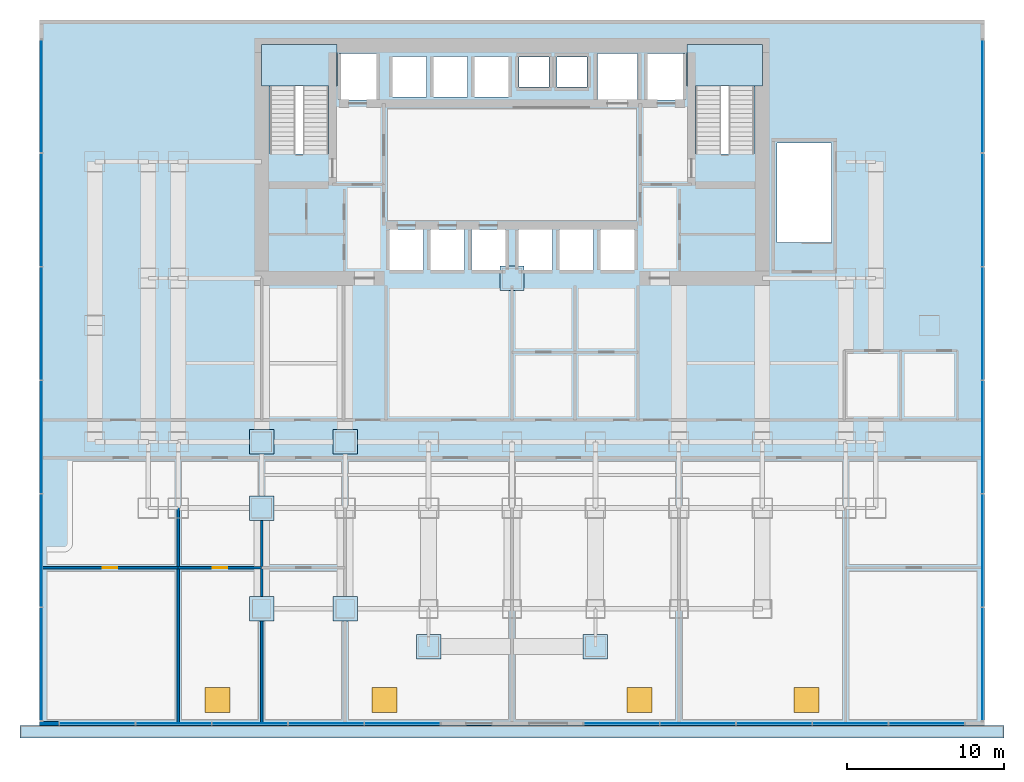
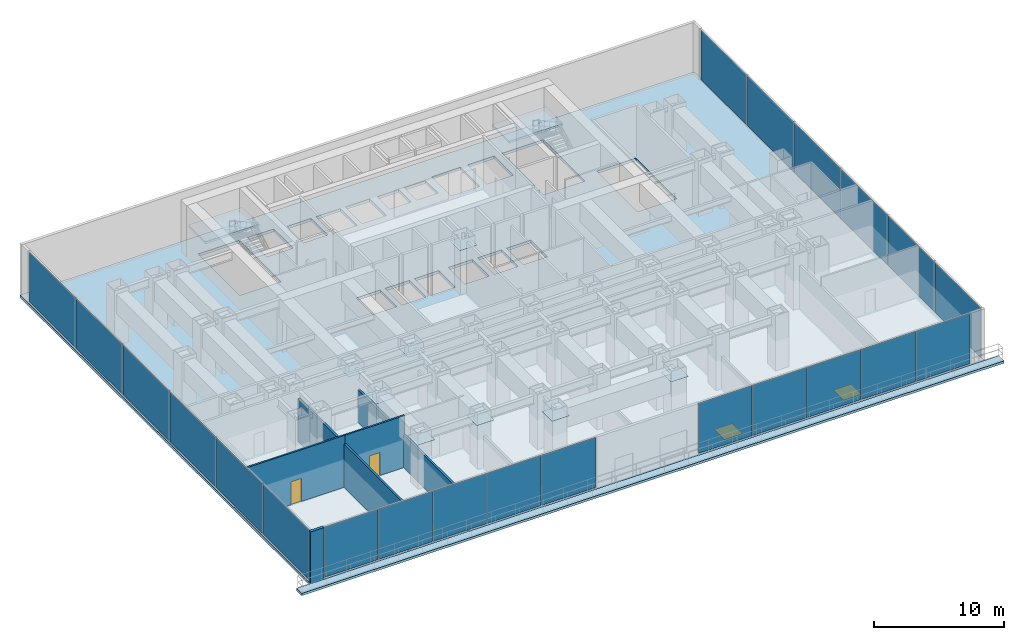
# One storey, part 7 of 12: 30 plates, 5 walls, 4 slabs, 4 windows, 2 doors, 6 openings, 6 elements without a shape of their own.
"""IFC4 building model written with IfcOpenShell, lengths in metres."""

from ifc_helpers import new_model, si_unit, direction, frame, frame_2d, origin, origin_2d, place, context, subcontext, project, spatial, polyline, rectangle, outline, extrude, source, transform, mapped, material, layer, layer_set, type_object, element, fill, aggregate, save


model = new_model("IFC4")

# Units and contexts
model_context = context("Model", 3, precision=1e-05, world=origin(), true_north=direction((0.0, 1.0)))
body_context = subcontext(model_context, "Body", "Model", "MODEL_VIEW")
ifc_project = project(units=[si_unit("LENGTHUNIT", "METRE"), si_unit("AREAUNIT", "SQUARE_METRE"), si_unit("VOLUMEUNIT", "CUBIC_METRE"), si_unit("PLANEANGLEUNIT", "RADIAN"), si_unit("MASSUNIT", "GRAM", prefix="KILO")], contexts=[model_context])

# Site, building, storey
site_placement = place(None, origin())
site = spatial("IfcSite", under=ifc_project, at=site_placement, CompositionType="ELEMENT")
building_placement = place(site_placement, origin())
building = spatial("IfcBuilding", under=site, at=building_placement, Name="Qianlan Lanfeng Residences", CompositionType="ELEMENT")
storey_placement = place(building_placement, frame((0.0, 0.0, 19.0)))
storey = spatial("IfcBuildingStorey", under=building, at=storey_placement, Name="L04", CompositionType="ELEMENT", Elevation=19.0)

# Slab, openings, windows
ifc_material_1 = material(Name="Concrete C49", Category="concrete")
ifc_layer_1 = layer(ifc_material_1, 0.260009765625)
ifc_layer_set_1 = layer_set([ifc_layer_1], Name="Concrete C49")
slab_type_1 = type_object("IfcSlabType", Name="S-FL-260", PredefinedType="FLOOR", material=ifc_layer_set_1)
slab_1_placement = place(storey_placement, frame((0.0, 0.0, -0.260009765625)))
slab_1 = element("IfcSlab", 1, at=slab_1_placement, inside=storey, type_object=slab_type_1, Name="L04 Structural Floor Slab", PredefinedType="FLOOR", context=body_context, shape_type="SweptSolid", body=[
    extrude(outline(polyline([(-3.5, -3.199951171875), (56.5, -3.199951171875), (56.5, 41.60009765625), (-3.5, 41.60009765625), (-3.5, -3.199951171875)]), holes=[polyline([(11.139892578125, 33.080078125), (11.139892578125, 39.5), (14.820068359375, 39.5), (14.820068359375, 33.080078125), (11.139892578125, 33.080078125)]), polyline([(38.179931640625, 33.080078125), (38.179931640625, 39.5), (41.860107421875, 39.5), (41.860107421875, 33.080078125), (38.179931640625, 33.080078125)]), polyline([(43.320068359375, 27.47998046875), (43.320068359375, 33.780029296875), (46.800048828125, 33.780029296875), (46.800048828125, 27.47998046875), (43.320068359375, 27.47998046875)]), polyline([(15.52001953125, 36.52001953125), (15.52001953125, 39.47998046875), (17.8798828125, 39.47998046875), (17.8798828125, 36.52001953125), (15.52001953125, 36.52001953125)]), polyline([(35.1201171875, 36.52001953125), (35.1201171875, 39.47998046875), (37.47998046875, 39.47998046875), (37.47998046875, 36.52001953125), (35.1201171875, 36.52001953125)]), polyline([(31.919921875, 36.52001953125), (31.919921875, 39.47998046875), (34.47998046875, 39.47998046875), (34.47998046875, 36.52001953125), (31.919921875, 36.52001953125)]), polyline([(18.719970703125, 25.719970703125), (18.719970703125, 28.280029296875), (20.8798828125, 28.280029296875), (20.8798828125, 25.719970703125), (18.719970703125, 25.719970703125)]), polyline([(21.320068359375, 25.719970703125), (21.320068359375, 28.280029296875), (23.47998046875, 28.280029296875), (23.47998046875, 25.719970703125), (21.320068359375, 25.719970703125)]), polyline([(23.919921875, 25.719970703125), (23.919921875, 28.280029296875), (26.080078125, 28.280029296875), (26.080078125, 25.719970703125), (23.919921875, 25.719970703125)]), polyline([(26.919921875, 25.719970703125), (26.919921875, 28.280029296875), (29.080078125, 28.280029296875), (29.080078125, 25.719970703125), (26.919921875, 25.719970703125)]), polyline([(29.52001953125, 25.719970703125), (29.52001953125, 28.280029296875), (31.679931640625, 28.280029296875), (31.679931640625, 25.719970703125), (29.52001953125, 25.719970703125)]), polyline([(32.1201171875, 25.719970703125), (32.1201171875, 28.280029296875), (34.280029296875, 28.280029296875), (34.280029296875, 25.719970703125), (32.1201171875, 25.719970703125)]), polyline([(18.919921875, 36.719970703125), (18.919921875, 39.280029296875), (21.080078125, 39.280029296875), (21.080078125, 36.719970703125), (18.919921875, 36.719970703125)]), polyline([(21.52001953125, 36.719970703125), (21.52001953125, 39.280029296875), (23.679931640625, 39.280029296875), (23.679931640625, 36.719970703125), (21.52001953125, 36.719970703125)]), polyline([(24.1201171875, 36.719970703125), (24.1201171875, 39.280029296875), (26.280029296875, 39.280029296875), (26.280029296875, 36.719970703125), (24.1201171875, 36.719970703125)]), polyline([(26.949951171875, 37.35009765625), (26.949951171875, 39.25), (28.85009765625, 39.25), (28.85009765625, 37.35009765625), (26.949951171875, 37.35009765625)]), polyline([(29.35009765625, 37.35009765625), (29.35009765625, 39.25), (31.25, 39.25), (31.25, 37.35009765625), (29.35009765625, 37.35009765625)])]), origin(), (0.0, 0.0, 1.0), 0.260009765625),
])
opening_1_placement = place(slab_1_placement, frame((7.800048828125, -1.60009765625, -0.010009765625)))
opening_1 = element("IfcOpeningElement", 2, at=opening_1_placement, cuts=slab_1, Name="Opening SK-01", PredefinedType="OPENING", context=body_context, shape_type="SweptSolid", body=[
    extrude(rectangle(XDim=1.60009765625, YDim=1.60009765625, at=origin_2d()), origin(), (0.0, 0.0, 1.0), 0.280029296875),
])
opening_2_placement = place(slab_1_placement, frame((18.39990234375, -1.60009765625, -0.010009765625)))
opening_2 = element("IfcOpeningElement", 3, at=opening_2_placement, cuts=slab_1, Name="Opening SK-01", PredefinedType="OPENING", context=body_context, shape_type="SweptSolid", body=[
    extrude(rectangle(XDim=1.60009765625, YDim=1.60009765625, at=origin_2d()), origin(), (0.0, 0.0, 1.0), 0.280029296875),
])
opening_3_placement = place(slab_1_placement, frame((34.60009765625, -1.60009765625, -0.010009765625)))
opening_3 = element("IfcOpeningElement", 4, at=opening_3_placement, cuts=slab_1, Name="Opening SK-01", PredefinedType="OPENING", context=body_context, shape_type="SweptSolid", body=[
    extrude(rectangle(XDim=1.60009765625, YDim=1.60009765625, at=origin_2d()), origin(), (0.0, 0.0, 1.0), 0.280029296875),
])
opening_4_placement = place(slab_1_placement, frame((45.199951171875, -1.60009765625, -0.010009765625)))
opening_4 = element("IfcOpeningElement", 5, at=opening_4_placement, cuts=slab_1, Name="Opening SK-01", PredefinedType="OPENING", context=body_context, shape_type="SweptSolid", body=[
    extrude(rectangle(XDim=1.60009765625, YDim=1.60009765625, at=origin_2d()), origin(), (0.0, 0.0, 1.0), 0.280029296875),
])
ifc_material_2 = material(Name="Anodised Bronze Aluminium Framed Double Glazing", Category="aluminium")
window_type = type_object("IfcWindowType", Name="SK-01", PartitioningType="SINGLE_PANEL", PredefinedType="SKYLIGHT", material=ifc_material_2)
window_1_placement = place(slab_1_placement, frame((7.800048828125, -1.60009765625, 0.2099609375)))
window_1 = element("IfcWindow", 6, at=window_1_placement, inside=storey, type_object=window_type, Name="L04 Podium Gallery Skylight 1", OverallHeight=1.60009765625, OverallWidth=1.60009765625, PartitioningType="SINGLE_PANEL", PredefinedType="SKYLIGHT", context=body_context, shape_type="SweptSolid", body=[
    extrude(rectangle(XDim=1.60009765625, YDim=1.60009765625, at=origin_2d()), origin(), (0.0, 0.0, 1.0), 0.050048828125),
])
fill(opening_1, window_1)
window_2_placement = place(slab_1_placement, frame((18.39990234375, -1.60009765625, 0.2099609375)))
window_2 = element("IfcWindow", 7, at=window_2_placement, inside=storey, type_object=window_type, Name="L04 Podium Gallery Skylight 2", OverallHeight=1.60009765625, OverallWidth=1.60009765625, PartitioningType="SINGLE_PANEL", PredefinedType="SKYLIGHT", context=body_context, shape_type="SweptSolid", body=[
    extrude(rectangle(XDim=1.60009765625, YDim=1.60009765625, at=origin_2d()), origin(), (0.0, 0.0, 1.0), 0.050048828125),
])
fill(opening_2, window_2)
window_3_placement = place(slab_1_placement, frame((34.60009765625, -1.60009765625, 0.2099609375)))
window_3 = element("IfcWindow", 8, at=window_3_placement, inside=storey, type_object=window_type, Name="L04 Podium Gallery Skylight 3", OverallHeight=1.60009765625, OverallWidth=1.60009765625, PartitioningType="SINGLE_PANEL", PredefinedType="SKYLIGHT", context=body_context, shape_type="SweptSolid", body=[
    extrude(rectangle(XDim=1.60009765625, YDim=1.60009765625, at=origin_2d()), origin(), (0.0, 0.0, 1.0), 0.050048828125),
])
fill(opening_3, window_3)
window_4_placement = place(slab_1_placement, frame((45.199951171875, -1.60009765625, 0.2099609375)))
window_4 = element("IfcWindow", 9, at=window_4_placement, inside=storey, type_object=window_type, Name="L04 Podium Gallery Skylight 4", OverallHeight=1.60009765625, OverallWidth=1.60009765625, PartitioningType="SINGLE_PANEL", PredefinedType="SKYLIGHT", context=body_context, shape_type="SweptSolid", body=[
    extrude(rectangle(XDim=1.60009765625, YDim=1.60009765625, at=origin_2d()), origin(), (0.0, 0.0, 1.0), 0.050048828125),
])
fill(opening_4, window_4)

# Stair, slab
ifc_material_3 = material(Name="Concrete C42", Category="concrete")
stair_type = type_object("IfcStairType", Name="STR-MAIN", PredefinedType="HALF_TURN_STAIR", material=ifc_material_3)
stair_1_placement = place(storey_placement, origin())
stair_1 = element("IfcStair", 10, at=stair_1_placement, inside=storey, type_object=stair_type, Name="L04 Exit Stair ST-1", PredefinedType="HALF_TURN_STAIR")
ifc_layer_2 = layer(ifc_material_3, 0.179931640625)
ifc_layer_set_2 = layer_set([ifc_layer_2], Name="Concrete C42")
slab_type_2 = type_object("IfcSlabType", Name="S-LND-180", PredefinedType="LANDING", material=ifc_layer_set_2)
slab_2_placement = place(storey_placement, frame((0.0, 0.0, 2.39990234375)))
slab_2 = element("IfcSlab", 11, at=slab_2_placement, type_object=slab_type_2, Name="ST-1 landing 1", PredefinedType="LANDING", context=body_context, shape_type="SweptSolid", body=[
    extrude(outline(polyline([(10.580078125, 37.39990234375), (15.3798828125, 37.39990234375), (15.3798828125, 40.050048828125), (10.580078125, 40.050048828125), (10.580078125, 37.39990234375)])), origin(), (0.0, 0.0, 1.0), 0.2001953125),
])
aggregate(stair_1, [slab_2])

stair_2_placement = place(storey_placement, origin())
stair_2 = element("IfcStair", 12, at=stair_2_placement, inside=storey, type_object=stair_type, Name="L04 Exit Stair ST-2", PredefinedType="HALF_TURN_STAIR")
slab_3_placement = place(storey_placement, frame((0.0, 0.0, 2.39990234375)))
slab_3 = element("IfcSlab", 13, at=slab_3_placement, type_object=slab_type_2, Name="ST-2 landing 1", PredefinedType="LANDING", context=body_context, shape_type="SweptSolid", body=[
    extrude(outline(polyline([(37.6201171875, 37.39990234375), (42.419921875, 37.39990234375), (42.419921875, 40.050048828125), (37.6201171875, 40.050048828125), (37.6201171875, 37.39990234375)])), origin(), (0.0, 0.0, 1.0), 0.2001953125),
])
aggregate(stair_2, [slab_3])

# Slab
ifc_layer_3 = layer(ifc_material_3, 0.219970703125)
ifc_layer_set_3 = layer_set([ifc_layer_3], Name="Concrete C42")
slab_type_3 = type_object("IfcSlabType", Name="S-TER-220", PredefinedType="FLOOR", material=ifc_layer_set_3)
slab_4_placement = place(storey_placement, frame((0.0, 0.0, -0.219970703125)))
element("IfcSlab", 14, at=slab_4_placement, inside=storey, type_object=slab_type_3, Name="L04 Planted Podium Terrace Slab", PredefinedType="FLOOR", context=body_context, shape_type="SweptSolid", body=[
    extrude(outline(polyline([(56.5, -3.199951171875), (-3.5, -3.199951171875), (-4.75, -3.199951171875), (-4.75, -4.0), (57.75, -4.0), (57.75, -3.199951171875), (56.5, -3.199951171875)])), origin(), (0.0, 0.0, 1.0), 0.219970703125),
])

# Plates
ifc_material_4 = material(Name="Steel SN490B", Category="steel")
ifc_layer_4 = layer(ifc_material_4, 0.028076171875)
ifc_layer_set_4 = layer_set([ifc_layer_4], Name="Steel SN490B")
plate_type_1 = type_object("IfcPlateType", Name="NP-STF-24", PredefinedType="USERDEFINED", material=ifc_layer_set_4)
shared_shape_1 = source(origin(), body_context, "Body", "SweptSolid", [
    extrude(rectangle(XDim=1.550048828125, YDim=1.550048828125, at=origin_2d()), origin(), (0.0, 0.0, 1.0), 0.028076171875),
])
for number, where, z_axis, x_axis, name in (
    (15, (21.199951171875, 1.800048828125, 4.2958984375), (0.0, 0.0, 1.0), (1.0, 0.0, 0.0), "L04 Transfer Node Diaphragm Stiffener 1"),
    (16, (31.800048828125, 1.800048828125, 4.2958984375), (0.0, 0.0, 1.0), (1.0, 0.0, 0.0), "L04 Transfer Node Diaphragm Stiffener 2"),
    (17, (26.5, 25.199951171875, 4.2958984375), (0.0, 0.0, 1.0), (1.0, 0.0, 0.0), "L04 Transfer Node Diaphragm Stiffener 3"),
    (18, (10.60009765625, 14.800048828125, 4.2958984375), (0.0, 0.0, 1.0), (1.0, 0.0, 0.0), "L04 Transfer Node Diaphragm Stiffener 4"),
    (19, (10.60009765625, 4.199951171875, 4.2958984375), (0.0, 0.0, 1.0), (1.0, 0.0, 0.0), "L04 Transfer Node Diaphragm Stiffener 5"),
    (20, (10.60009765625, 10.60009765625, 4.2958984375), (0.0, 0.0, 1.0), (1.0, 0.0, 0.0), "L04 Transfer Node Diaphragm Stiffener 6"),
    (21, (15.89990234375, 14.800048828125, 4.2958984375), (0.0, 0.0, 1.0), (1.0, 0.0, 0.0), "L04 Transfer Node Diaphragm Stiffener 7"),
    (22, (15.89990234375, 4.199951171875, 4.2958984375), (0.0, 0.0, 1.0), (1.0, 0.0, 0.0), "L04 Transfer Node Diaphragm Stiffener 8"),
):
    element("IfcPlate", number, at=place(storey_placement, frame(where, z_axis=z_axis, x_axis=x_axis)), inside=storey, type_object=plate_type_1, Name=name, ObjectType="STIFFENER", PredefinedType="USERDEFINED", context=body_context, shape_type="MappedRepresentation", body=[
        mapped(shared_shape_1, transform((0.0, 0.0, 0.0), scale=1.0)),
    ])

# Curtain wall, plates
ifc_material_5 = material(Name="Anodised Bronze Aluminium 6063-T6", Category="aluminium")
ifc_layer_5 = layer(ifc_material_5, 0.219970703125)
ifc_layer_set_5 = layer_set([ifc_layer_5], Name="Anodised Bronze Aluminium 6063-T6")
curtain_wall_type = type_object("IfcCurtainWallType", Name="CW-01", PredefinedType="NOTDEFINED", material=ifc_layer_set_5)
curtain_wall_1_placement = place(storey_placement, origin())
curtain_wall_1 = element("IfcCurtainWall", 23, at=curtain_wall_1_placement, inside=storey, type_object=curtain_wall_type, Name="L04 Unitised Curtain Wall CWR-L04-SW (CW-01)", PredefinedType="NOTDEFINED")
ifc_material_6 = material(Name="Clear Low-E Insulated Glass", Category="glass")
ifc_layer_6 = layer(ifc_material_6, 0.035888671875)
ifc_layer_set_6 = layer_set([ifc_layer_6], Name="Clear Low-E Insulated Glass")
plate_type_2 = type_object("IfcPlateType", Name="PNL-GLZ-CLR", PredefinedType="CURTAIN_PANEL", material=ifc_layer_set_6)
shared_shape_2 = source(origin(), body_context, "Body", "SweptSolid", [
    extrude(rectangle(XDim=4.76611328125, YDim=0.035888671875, at=origin_2d()), origin(), (0.0, 0.0, 1.0), 4.701904296875),
])
plate_1_placement = place(storey_placement, frame((0.162109375, -3.080078125, 0.0791015625), z_axis=(0.0, 0.0, 1.0), x_axis=(1.0, 0.0, 0.0)))
plate_1 = element("IfcPlate", 24, at=plate_1_placement, type_object=plate_type_2, Name="CWR-L04-SW Curtain Panel 1", PredefinedType="CURTAIN_PANEL", context=body_context, shape_type="MappedRepresentation", body=[
    mapped(shared_shape_2, transform((0.0, 0.0, 0.0), scale=1.0)),
])
plate_2_placement = place(storey_placement, frame((5.006103515625, -3.080078125, 0.0791015625), z_axis=(0.0, 0.0, 1.0), x_axis=(1.0, 0.0, 0.0)))
plate_2 = element("IfcPlate", 25, at=plate_2_placement, type_object=plate_type_2, Name="CWR-L04-SW Curtain Panel 2", PredefinedType="CURTAIN_PANEL", context=body_context, shape_type="MappedRepresentation", body=[
    mapped(shared_shape_2, transform((0.0, 0.0, 0.0), scale=1.0)),
])
plate_3_placement = place(storey_placement, frame((14.694091796875, -3.080078125, 0.0791015625), z_axis=(0.0, 0.0, 1.0), x_axis=(1.0, 0.0, 0.0)))
plate_3 = element("IfcPlate", 26, at=plate_3_placement, type_object=plate_type_2, Name="CWR-L04-SW Curtain Panel 4", PredefinedType="CURTAIN_PANEL", context=body_context, shape_type="MappedRepresentation", body=[
    mapped(shared_shape_2, transform((0.0, 0.0, 0.0), scale=1.0)),
])
plate_4_placement = place(storey_placement, frame((19.5380859375, -3.080078125, 0.0791015625), z_axis=(0.0, 0.0, 1.0), x_axis=(1.0, 0.0, 0.0)))
plate_4 = element("IfcPlate", 27, at=plate_4_placement, type_object=plate_type_2, Name="CWR-L04-SW Curtain Panel 5", PredefinedType="CURTAIN_PANEL", context=body_context, shape_type="MappedRepresentation", body=[
    mapped(shared_shape_2, transform((0.0, 0.0, 0.0), scale=1.0)),
])

curtain_wall_2_placement = place(storey_placement, origin())
curtain_wall_2 = element("IfcCurtainWall", 28, at=curtain_wall_2_placement, inside=storey, type_object=curtain_wall_type, Name="L04 Unitised Curtain Wall CWR-L04-SE (CW-01)", PredefinedType="NOTDEFINED")
plate_5_placement = place(storey_placement, frame((33.4619140625, -3.080078125, 0.0791015625), z_axis=(0.0, 0.0, 1.0), x_axis=(1.0, 0.0, 0.0)))
plate_5 = element("IfcPlate", 29, at=plate_5_placement, type_object=plate_type_2, Name="CWR-L04-SE Curtain Panel 1", PredefinedType="CURTAIN_PANEL", context=body_context, shape_type="MappedRepresentation", body=[
    mapped(shared_shape_2, transform((0.0, 0.0, 0.0), scale=1.0)),
])
plate_6_placement = place(storey_placement, frame((38.305908203125, -3.080078125, 0.0791015625), z_axis=(0.0, 0.0, 1.0), x_axis=(1.0, 0.0, 0.0)))
plate_6 = element("IfcPlate", 30, at=plate_6_placement, type_object=plate_type_2, Name="CWR-L04-SE Curtain Panel 2", PredefinedType="CURTAIN_PANEL", context=body_context, shape_type="MappedRepresentation", body=[
    mapped(shared_shape_2, transform((0.0, 0.0, 0.0), scale=1.0)),
])
plate_7_placement = place(storey_placement, frame((47.993896484375, -3.080078125, 0.0791015625), z_axis=(0.0, 0.0, 1.0), x_axis=(1.0, 0.0, 0.0)))
plate_7 = element("IfcPlate", 31, at=plate_7_placement, type_object=plate_type_2, Name="CWR-L04-SE Curtain Panel 4", PredefinedType="CURTAIN_PANEL", context=body_context, shape_type="MappedRepresentation", body=[
    mapped(shared_shape_2, transform((0.0, 0.0, 0.0), scale=1.0)),
])
plate_8_placement = place(storey_placement, frame((52.837890625, -3.080078125, 0.0791015625), z_axis=(0.0, 0.0, 1.0), x_axis=(1.0, 0.0, 0.0)))
plate_8 = element("IfcPlate", 32, at=plate_8_placement, type_object=plate_type_2, Name="CWR-L04-SE Curtain Panel 5", PredefinedType="CURTAIN_PANEL", context=body_context, shape_type="MappedRepresentation", body=[
    mapped(shared_shape_2, transform((0.0, 0.0, 0.0), scale=1.0)),
])

# Plate
ifc_material_7 = material(Name="Perforated Anodised Bronze Aluminium Panel", Category="aluminium")
ifc_layer_7 = layer(ifc_material_7, 0.0419921875)
ifc_layer_set_7 = layer_set([ifc_layer_7], Name="Perforated Anodised Bronze Aluminium Panel")
plate_type_3 = type_object("IfcPlateType", Name="PNL-PRF-BRZ", PredefinedType="CURTAIN_PANEL", material=ifc_layer_set_7)
shared_shape_3 = source(origin(), body_context, "Body", "SweptSolid", [
    extrude(rectangle(XDim=4.76611328125, YDim=0.0419921875, at=origin_2d()), origin(), (0.0, 0.0, 1.0), 4.701904296875),
])
plate_9_placement = place(storey_placement, frame((9.85009765625, -3.080078125, 0.0791015625), z_axis=(0.0, 0.0, 1.0), x_axis=(1.0, 0.0, 0.0)))
plate_9 = element("IfcPlate", 33, at=plate_9_placement, type_object=plate_type_3, Name="CWR-L04-SW Curtain Panel 3", PredefinedType="CURTAIN_PANEL", context=body_context, shape_type="MappedRepresentation", body=[
    mapped(shared_shape_3, transform((0.0, 0.0, 0.0), scale=1.0)),
])

aggregate(curtain_wall_1, [plate_1, plate_2, plate_9, plate_3, plate_4])

ifc_material_8 = material(Name="Perforated Champagne Gold Aluminium Panel", Category="aluminium")
ifc_layer_8 = layer(ifc_material_8, 0.0400390625)
ifc_layer_set_8 = layer_set([ifc_layer_8], Name="Perforated Champagne Gold Aluminium Panel")
plate_type_4 = type_object("IfcPlateType", Name="PNL-PRF-GLD", PredefinedType="CURTAIN_PANEL", material=ifc_layer_set_8)
shared_shape_4 = source(origin(), body_context, "Body", "SweptSolid", [
    extrude(rectangle(XDim=4.76611328125, YDim=0.0400390625, at=origin_2d()), origin(), (0.0, 0.0, 1.0), 4.701904296875),
])
plate_10_placement = place(storey_placement, frame((43.14990234375, -3.080078125, 0.0791015625), z_axis=(0.0, 0.0, 1.0), x_axis=(1.0, 0.0, 0.0)))
plate_10 = element("IfcPlate", 34, at=plate_10_placement, type_object=plate_type_4, Name="CWR-L04-SE Curtain Panel 3", PredefinedType="CURTAIN_PANEL", context=body_context, shape_type="MappedRepresentation", body=[
    mapped(shared_shape_4, transform((0.0, 0.0, 0.0), scale=1.0)),
])

aggregate(curtain_wall_2, [plate_5, plate_6, plate_10, plate_7, plate_8])

# Curtain wall, plates
curtain_wall_3_placement = place(storey_placement, origin())
curtain_wall_3 = element("IfcCurtainWall", 35, at=curtain_wall_3_placement, inside=storey, type_object=curtain_wall_type, Name="L04 Unitised Curtain Wall CWR-L04-E (CW-01)", PredefinedType="NOTDEFINED")
shared_shape_5 = source(origin(), body_context, "Body", "SweptSolid", [
    extrude(rectangle(XDim=7.13525390625, YDim=0.035888671875, at=origin_2d()), origin(), (0.0, 0.0, 1.0), 4.701904296875),
])
plate_11_placement = place(storey_placement, frame((56.3798828125, 0.686767578125, 0.0791015625), z_axis=(0.0, 0.0, 1.0), x_axis=(0.0, 1.0, 0.0)))
plate_11 = element("IfcPlate", 36, at=plate_11_placement, type_object=plate_type_2, Name="CWR-L04-E Curtain Panel 1", PredefinedType="CURTAIN_PANEL", context=body_context, shape_type="MappedRepresentation", body=[
    mapped(shared_shape_5, transform((0.0, 0.0, 0.0), scale=1.0)),
])
plate_12_placement = place(storey_placement, frame((56.3798828125, 15.11328125, 0.0791015625), z_axis=(0.0, 0.0, 1.0), x_axis=(0.0, 1.0, 0.0)))
plate_12 = element("IfcPlate", 37, at=plate_12_placement, type_object=plate_type_2, Name="CWR-L04-E Curtain Panel 3", PredefinedType="CURTAIN_PANEL", context=body_context, shape_type="MappedRepresentation", body=[
    mapped(shared_shape_5, transform((0.0, 0.0, 0.0), scale=1.0)),
])
plate_13_placement = place(storey_placement, frame((56.3798828125, 22.32666015625, 0.0791015625), z_axis=(0.0, 0.0, 1.0), x_axis=(0.0, 1.0, 0.0)))
plate_13 = element("IfcPlate", 38, at=plate_13_placement, type_object=plate_type_2, Name="CWR-L04-E Curtain Panel 4", PredefinedType="CURTAIN_PANEL", context=body_context, shape_type="MappedRepresentation", body=[
    mapped(shared_shape_5, transform((0.0, 0.0, 0.0), scale=1.0)),
])
plate_14_placement = place(storey_placement, frame((56.3798828125, 36.75341796875, 0.0791015625), z_axis=(0.0, 0.0, 1.0), x_axis=(0.0, 1.0, 0.0)))
plate_14 = element("IfcPlate", 39, at=plate_14_placement, type_object=plate_type_2, Name="CWR-L04-E Curtain Panel 6", PredefinedType="CURTAIN_PANEL", context=body_context, shape_type="MappedRepresentation", body=[
    mapped(shared_shape_5, transform((0.0, 0.0, 0.0), scale=1.0)),
])

curtain_wall_4_placement = place(storey_placement, origin())
curtain_wall_4 = element("IfcCurtainWall", 40, at=curtain_wall_4_placement, inside=storey, type_object=curtain_wall_type, Name="L04 Unitised Curtain Wall CWR-L04-W (CW-01)", PredefinedType="NOTDEFINED")
plate_15_placement = place(storey_placement, frame((-3.3798828125, 36.75341796875, 0.0791015625), z_axis=(0.0, 0.0, 1.0), x_axis=(0.0, -1.0, 0.0)))
plate_15 = element("IfcPlate", 41, at=plate_15_placement, type_object=plate_type_2, Name="CWR-L04-W Curtain Panel 1", PredefinedType="CURTAIN_PANEL", context=body_context, shape_type="MappedRepresentation", body=[
    mapped(shared_shape_5, transform((0.0, 0.0, 0.0), scale=1.0)),
])
plate_16_placement = place(storey_placement, frame((-3.3798828125, 22.32666015625, 0.0791015625), z_axis=(0.0, 0.0, 1.0), x_axis=(0.0, -1.0, 0.0)))
plate_16 = element("IfcPlate", 42, at=plate_16_placement, type_object=plate_type_2, Name="CWR-L04-W Curtain Panel 3", PredefinedType="CURTAIN_PANEL", context=body_context, shape_type="MappedRepresentation", body=[
    mapped(shared_shape_5, transform((0.0, 0.0, 0.0), scale=1.0)),
])
plate_17_placement = place(storey_placement, frame((-3.3798828125, 15.11328125, 0.0791015625), z_axis=(0.0, 0.0, 1.0), x_axis=(0.0, -1.0, 0.0)))
plate_17 = element("IfcPlate", 43, at=plate_17_placement, type_object=plate_type_2, Name="CWR-L04-W Curtain Panel 4", PredefinedType="CURTAIN_PANEL", context=body_context, shape_type="MappedRepresentation", body=[
    mapped(shared_shape_5, transform((0.0, 0.0, 0.0), scale=1.0)),
])
plate_18_placement = place(storey_placement, frame((-3.3798828125, 0.686767578125, 0.0791015625), z_axis=(0.0, 0.0, 1.0), x_axis=(0.0, -1.0, 0.0)))
plate_18 = element("IfcPlate", 44, at=plate_18_placement, type_object=plate_type_2, Name="CWR-L04-W Curtain Panel 6", PredefinedType="CURTAIN_PANEL", context=body_context, shape_type="MappedRepresentation", body=[
    mapped(shared_shape_5, transform((0.0, 0.0, 0.0), scale=1.0)),
])

# Plate
shared_shape_6 = source(origin(), body_context, "Body", "SweptSolid", [
    extrude(rectangle(XDim=7.135498046875, YDim=0.0400390625, at=origin_2d()), origin(), (0.0, 0.0, 1.0), 4.701904296875),
])
plate_19_placement = place(storey_placement, frame((56.3798828125, 7.89990234375, 0.0791015625), z_axis=(0.0, 0.0, 1.0), x_axis=(0.0, 1.0, 0.0)))
plate_19 = element("IfcPlate", 45, at=plate_19_placement, type_object=plate_type_4, Name="CWR-L04-E Curtain Panel 2", PredefinedType="CURTAIN_PANEL", context=body_context, shape_type="MappedRepresentation", body=[
    mapped(shared_shape_6, transform((0.0, 0.0, 0.0), scale=1.0)),
])

shared_shape_7 = source(origin(), body_context, "Body", "SweptSolid", [
    extrude(rectangle(XDim=7.135498046875, YDim=0.0419921875, at=origin_2d()), origin(), (0.0, 0.0, 1.0), 4.701904296875),
])
plate_20_placement = place(storey_placement, frame((56.3798828125, 29.5400390625, 0.0791015625), z_axis=(0.0, 0.0, 1.0), x_axis=(0.0, 1.0, 0.0)))
plate_20 = element("IfcPlate", 46, at=plate_20_placement, type_object=plate_type_3, Name="CWR-L04-E Curtain Panel 5", PredefinedType="CURTAIN_PANEL", context=body_context, shape_type="MappedRepresentation", body=[
    mapped(shared_shape_7, transform((0.0, 0.0, 0.0), scale=1.0)),
])

aggregate(curtain_wall_3, [plate_11, plate_19, plate_12, plate_13, plate_20, plate_14])

plate_21_placement = place(storey_placement, frame((-3.3798828125, 29.5400390625, 0.0791015625), z_axis=(0.0, 0.0, 1.0), x_axis=(0.0, -1.0, 0.0)))
plate_21 = element("IfcPlate", 47, at=plate_21_placement, type_object=plate_type_3, Name="CWR-L04-W Curtain Panel 2", PredefinedType="CURTAIN_PANEL", context=body_context, shape_type="MappedRepresentation", body=[
    mapped(shared_shape_7, transform((0.0, 0.0, 0.0), scale=1.0)),
])

plate_22_placement = place(storey_placement, frame((-3.3798828125, 7.89990234375, 0.0791015625), z_axis=(0.0, 0.0, 1.0), x_axis=(0.0, -1.0, 0.0)))
plate_22 = element("IfcPlate", 48, at=plate_22_placement, type_object=plate_type_3, Name="CWR-L04-W Curtain Panel 5", PredefinedType="CURTAIN_PANEL", context=body_context, shape_type="MappedRepresentation", body=[
    mapped(shared_shape_7, transform((0.0, 0.0, 0.0), scale=1.0)),
])

aggregate(curtain_wall_4, [plate_15, plate_21, plate_16, plate_17, plate_22, plate_18])

# Wall
ifc_layer_9 = layer(ifc_material_3, 0.239990234375)
ifc_layer_set_9 = layer_set([ifc_layer_9], Name="Concrete C42")
wall_type_1 = type_object("IfcWallType", Name="EW-240", PredefinedType="SOLIDWALL", material=ifc_layer_set_9)
wall_1_placement = place(storey_placement, frame((-3.5, -3.080078125, 0.0), z_axis=(0.0, 0.0, 1.0), x_axis=(1.0, 0.0, 0.0)))
element("IfcWall", 49, at=wall_1_placement, inside=storey, type_object=wall_type_1, Name="L04 SW Corner Pier", PredefinedType="SOLIDWALL", context=body_context, shape_type="SweptSolid", body=[
    extrude(rectangle(XDim=1.199951171875, YDim=0.239990234375, at=frame_2d((0.60009765625, 0.0))), origin(), (0.0, 0.0, 1.0), 4.860107421875),
])

# Wall, opening, door
ifc_material_9 = material(Name="Acoustic Drywall Partition 150 mm")
ifc_layer_10 = layer(ifc_material_9, 0.14990234375)
ifc_layer_set_10 = layer_set([ifc_layer_10], Name="Acoustic Drywall Partition 150 mm")
wall_type_2 = type_object("IfcWallType", Name="PW-150", PredefinedType="PARTITIONING", material=ifc_layer_set_10)
wall_2_placement = place(storey_placement, frame((-3.3798828125, 6.800048828125, 0.0), z_axis=(0.0, 0.0, 1.0), x_axis=(1.0, 0.0, 0.0)))
wall_2 = element("IfcWall", 50, at=wall_2_placement, inside=storey, type_object=wall_type_2, Name="L04 Executive Suite Inner Wall 1", PredefinedType="PARTITIONING", context=body_context, shape_type="SweptSolid", body=[
    extrude(rectangle(XDim=8.679931640625, YDim=0.14990234375, at=frame_2d((4.33984375, 0.0))), origin(), (0.0, 0.0, 1.0), 4.860107421875),
])
opening_5_placement = place(wall_2_placement, frame((3.8798828125, 0.0, 0.0)))
opening_5 = element("IfcOpeningElement", 51, at=opening_5_placement, cuts=wall_2, Name="Opening L04-D17", PredefinedType="OPENING", context=body_context, shape_type="SweptSolid", body=[
    extrude(rectangle(XDim=0.919921875, YDim=2.14990234375, at=frame_2d((0.4599609375, 1.074951171875))), frame((0.0, 0.0849609375, 0.0), z_axis=(0.0, -1.0, 0.0), x_axis=(1.0, 0.0, 0.0)), (0.0, 0.0, 1.0), 0.169921875),
])
ifc_material_10 = material(Name="Glazed Timber Kitchen/Study Door", Category="wood")
door_type = type_object("IfcDoorType", Name="DT-INT", OperationType="NOTDEFINED", PredefinedType="DOOR", material=ifc_material_10)
door_1_placement = place(opening_5_placement, origin())
door_1 = element("IfcDoor", 52, at=door_1_placement, inside=storey, type_object=door_type, Name="L04 Executive Salon 1 Door L04-D17 (DT-INT)", OperationType="SINGLE_SWING_LEFT", OverallHeight=2.14990234375, OverallWidth=0.919921875, PredefinedType="DOOR", context=body_context, shape_type="SweptSolid", body=[
    extrude(rectangle(XDim=0.919921875, YDim=2.14990234375, at=frame_2d((0.4599609375, 1.074951171875))), frame((0.0, 0.02490234375, 0.0), z_axis=(0.0, -1.0, 0.0), x_axis=(1.0, 0.0, 0.0)), (0.0, 0.0, 1.0), 0.050048828125),
])
fill(opening_5, door_1)

wall_3_placement = place(storey_placement, frame((5.300048828125, 6.800048828125, 0.0), z_axis=(0.0, 0.0, 1.0), x_axis=(1.0, 0.0, 0.0)))
wall_3 = element("IfcWall", 53, at=wall_3_placement, inside=storey, type_object=wall_type_2, Name="L04 Executive Suite Inner Wall 2", PredefinedType="PARTITIONING", context=body_context, shape_type="SweptSolid", body=[
    extrude(rectangle(XDim=5.300048828125, YDim=0.14990234375, at=frame_2d((2.64990234375, 0.0))), origin(), (0.0, 0.0, 1.0), 4.860107421875),
])
opening_6_placement = place(wall_3_placement, frame((2.18994140625, 0.0, 0.0)))
opening_6 = element("IfcOpeningElement", 54, at=opening_6_placement, cuts=wall_3, Name="Opening L04-D18", PredefinedType="OPENING", context=body_context, shape_type="SweptSolid", body=[
    extrude(rectangle(XDim=0.919921875, YDim=2.14990234375, at=frame_2d((0.4599609375, 1.074951171875))), frame((0.0, 0.0849609375, 0.0), z_axis=(0.0, -1.0, 0.0), x_axis=(1.0, 0.0, 0.0)), (0.0, 0.0, 1.0), 0.169921875),
])
door_2_placement = place(opening_6_placement, origin())
door_2 = element("IfcDoor", 55, at=door_2_placement, inside=storey, type_object=door_type, Name="L04 Executive Salon 2 Door L04-D18 (DT-INT)", OperationType="SINGLE_SWING_RIGHT", OverallHeight=2.14990234375, OverallWidth=0.919921875, PredefinedType="DOOR", context=body_context, shape_type="SweptSolid", body=[
    extrude(rectangle(XDim=0.919921875, YDim=2.14990234375, at=frame_2d((0.4599609375, 1.074951171875))), frame((0.0, 0.02490234375, 0.0), z_axis=(0.0, -1.0, 0.0), x_axis=(1.0, 0.0, 0.0)), (0.0, 0.0, 1.0), 0.050048828125),
])
fill(opening_6, door_2)

# Walls
ifc_material_11 = material(Name="Double-Layer Acoustic Gypsum Stud Wall 180 mm")
ifc_layer_11 = layer(ifc_material_11, 0.179931640625)
ifc_layer_set_11 = layer_set([ifc_layer_11], Name="Double-Layer Acoustic Gypsum Stud Wall 180 mm")
wall_type_3 = type_object("IfcWallType", Name="PW-180", PredefinedType="PARTITIONING", material=ifc_layer_set_11)
wall_4_placement = place(storey_placement, frame((5.300048828125, -3.080078125, 0.0), z_axis=(0.0, 0.0, 1.0), x_axis=(0.0, 1.0, 0.0)))
element("IfcWall", 56, at=wall_4_placement, inside=storey, type_object=wall_type_3, Name="L04 South Suite Partition 1", PredefinedType="PARTITIONING", context=body_context, shape_type="SweptSolid", body=[
    extrude(rectangle(XDim=16.880126953125, YDim=0.179931640625, at=frame_2d((8.43994140625, 0.0))), origin(), (0.0, 0.0, 1.0), 4.054931640625),
])
wall_5_placement = place(storey_placement, frame((10.60009765625, -3.080078125, 0.0), z_axis=(0.0, 0.0, 1.0), x_axis=(0.0, 1.0, 0.0)))
element("IfcWall", 57, at=wall_5_placement, inside=storey, type_object=wall_type_3, Name="L04 South Suite Partition 2", PredefinedType="PARTITIONING", context=body_context, shape_type="SweptSolid", body=[
    extrude(rectangle(XDim=16.880126953125, YDim=0.179931640625, at=frame_2d((8.43994140625, 0.0))), origin(), (0.0, 0.0, 1.0), 3.054931640625),
])

save(model, "model.ifc")
